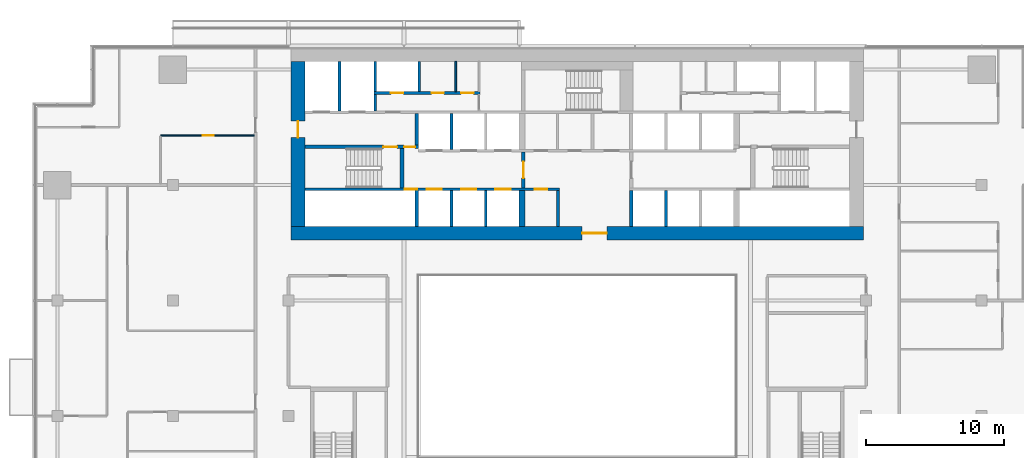
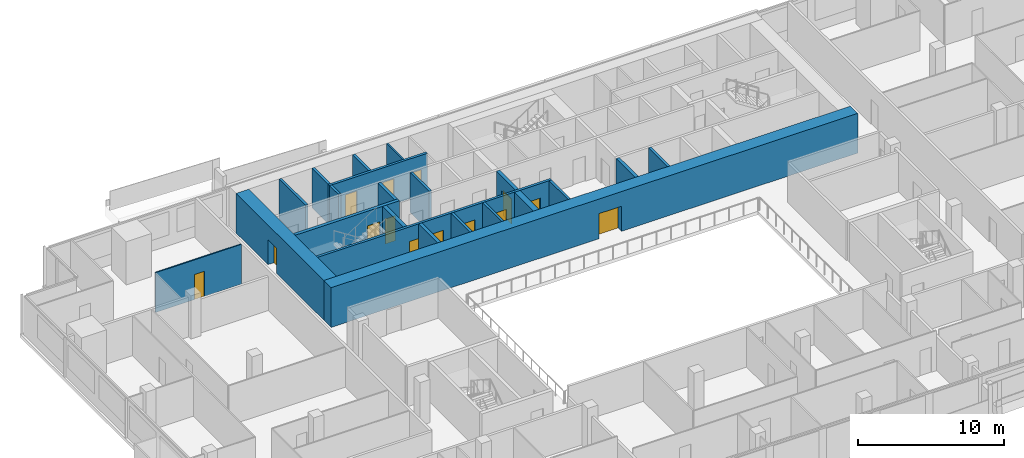
# One storey, part 20 of 27: 22 walls, 14 doors, 14 openings.
"""IFC4 building model written with IfcOpenShell, lengths in metres."""

import ifcopenshell
import ifcopenshell.guid

model = None  # the IFC model being written
_history = None  # IfcOwnerHistory: only IFC2X3 demands one
_inside = {}  # id of a spatial element -> (the spatial element, [elements in it])
_under = {}  # id of a project, library or spatial element -> (it, [spatial elements below it])
_declared = {}  # id of a project -> (the project, [libraries it declares])
_typed = {}  # id of a type object -> (the type object, [elements of that type])
_made_of = {}  # id of a material, layer set ... -> (it, [elements and type objects made of it])


def new_model(schema):
    """Start an empty IFC model of exactly this schema.

    Asked for "IFC4X3", IfcOpenShell would pick the latest addendum, in which some entities
    have other attributes; the version numbers below select the first issue.
    IFC2X3 requires an IfcOwnerHistory on every rooted entity: one is made here for all.
    """
    global model, _history
    if schema == "IFC4X3":
        model = ifcopenshell.file(schema_version=(4, 3, 0, 0))
    else:
        model = ifcopenshell.file(schema=schema)
    _inside.clear()
    _under.clear()
    _declared.clear()
    _typed.clear()
    _made_of.clear()
    _history = None
    if model.schema == "IFC2X3":
        org = make("IfcOrganization", Name="unknown")
        user = make(
            "IfcPersonAndOrganization",
            ThePerson=make("IfcPerson", FamilyName="unknown"),
            TheOrganization=org,
        )
        app = make(
            "IfcApplication",
            ApplicationDeveloper=org,
            Version="unknown",
            ApplicationFullName="unknown",
            ApplicationIdentifier="unknown",
        )
        _history = make(
            "IfcOwnerHistory",
            OwningUser=user,
            OwningApplication=app,
            ChangeAction="ADDED",
            CreationDate=0,
        )
    return model


def make(cls, **values):
    """One entity of the class cls with the attributes given. An attribute that is None is left unset."""
    return model.create_entity(
        cls, **{name: value for name, value in values.items() if value is not None}
    )


def rooted(cls, **values):
    """An entity with a GlobalId (a new one), such as an element, a storey or a relation."""
    return make(cls, GlobalId=ifcopenshell.guid.new(), OwnerHistory=_history, **values)


def si_unit(unit_type, name, prefix=None):
    """IfcSIUnit, for example si_unit("LENGTHUNIT", "METRE", prefix="MILLI")."""
    return make("IfcSIUnit", UnitType=unit_type, Prefix=prefix, Name=name)


def assignment(units):
    """IfcUnitAssignment: the units of a project."""
    return None if units is None else make("IfcUnitAssignment", Units=units)


def point(xyz):
    """IfcCartesianPoint."""
    return None if xyz is None else make("IfcCartesianPoint", Coordinates=xyz)


def direction(xyz):
    """IfcDirection."""
    return None if xyz is None else make("IfcDirection", DirectionRatios=xyz)


def frame(location, z_axis=None, x_axis=None):
    """IfcAxis2Placement3D, a coordinate frame: its origin and axes. An axis left out is left unset."""
    return make(
        "IfcAxis2Placement3D",
        Location=point(location),
        Axis=direction(z_axis),
        RefDirection=direction(x_axis),
    )


def frame_2d(location, x_axis=None):
    """IfcAxis2Placement2D, a coordinate frame in the plane: its origin and x axis."""
    return make(
        "IfcAxis2Placement2D", Location=point(location), RefDirection=direction(x_axis)
    )


def origin():
    """The frame at (0, 0, 0) with its axes left unset."""
    return frame((0.0, 0.0, 0.0))


def place(relative_to, where):
    """IfcLocalPlacement: puts the frame where relative to a parent placement (None: the world)."""
    return make(
        "IfcLocalPlacement", PlacementRelTo=relative_to, RelativePlacement=where
    )


def context(
    kind, dimensions, precision=None, world=None, true_north=None, identifier=None
):
    """IfcGeometricRepresentationContext, for example the 3D "Model" context."""
    return make(
        "IfcGeometricRepresentationContext",
        ContextIdentifier=identifier,
        ContextType=kind,
        CoordinateSpaceDimension=dimensions,
        Precision=precision,
        WorldCoordinateSystem=world,
        TrueNorth=true_north,
    )


def subcontext(parent, identifier, kind, view, scale=None):
    """IfcGeometricRepresentationSubContext, for example "Body" below "Model"."""
    return make(
        "IfcGeometricRepresentationSubContext",
        ContextIdentifier=identifier,
        ContextType=kind,
        ParentContext=parent,
        TargetScale=scale,
        TargetView=view,
    )


def project(units=None, contexts=None):
    """IfcProject with its units and contexts."""
    return rooted(
        "IfcProject",
        Name="project",
        RepresentationContexts=contexts,
        UnitsInContext=assignment(units),
    )


def spatial(cls, under=None, at=None, **own):
    """A site, building, storey or space (cls), placed at a placement, below another one or the project."""
    s = rooted(cls, ObjectPlacement=at, **own)
    if under is not None:
        _under.setdefault(under.id(), (under, []))[1].append(s)
    return s


def profile(cls, at=None, kind="AREA", **sizes):
    """A parametric profile (cls). Its sizes go by their IFC names, for example OverallWidth=200.0."""
    return make(cls, ProfileType=kind, Position=at, **sizes)


def rectangle(**sizes):
    """IfcRectangleProfileDef."""
    return profile("IfcRectangleProfileDef", **sizes)


def extrude(swept, where, along, depth):
    """IfcExtrudedAreaSolid: the profile swept, set in the frame where, extruded along a direction by depth."""
    return make(
        "IfcExtrudedAreaSolid",
        SweptArea=swept,
        Position=where,
        ExtrudedDirection=direction(along),
        Depth=depth,
    )


def shape(context_of_items, identifier, shape_type, items):
    """IfcShapeRepresentation: the items that make up one representation, for example the "Body"."""
    return make(
        "IfcShapeRepresentation",
        ContextOfItems=context_of_items,
        RepresentationIdentifier=identifier,
        RepresentationType=shape_type,
        Items=items,
    )


def material(Name=None, Category=None):
    """IfcMaterial."""
    return make("IfcMaterial", Name=Name, Category=Category)


def layer(
    of_material, thickness, ventilated=None, Name=None, Category=None, Priority=None
):
    """IfcMaterialLayer: one layer of a wall or slab, of a material (None: an air gap)."""
    return make(
        "IfcMaterialLayer",
        Material=of_material,
        LayerThickness=thickness,
        IsVentilated=ventilated,
        Name=Name,
        Category=Category,
        Priority=Priority,
    )


def layer_set(layers, Name=None):
    """IfcMaterialLayerSet."""
    return make("IfcMaterialLayerSet", MaterialLayers=layers, LayerSetName=Name)


def made_of(thing, what):
    """Note that an element or type object is made of a material, layer set ...; save() writes the relation."""
    if what is not None:
        _made_of.setdefault(what.id(), (what, []))[1].append(thing)
    return thing


def type_object(cls, material=None, **own):
    """A type object (cls), such as IfcWallType, which elements share."""
    return made_of(rooted(cls, **own), material)


def element(
    cls,
    number,
    at=None,
    inside=None,
    cuts=None,
    type_object=None,
    material=None,
    context=None,
    identifier="Body",
    shape_type=None,
    held_by="IfcProductDefinitionShape",
    body=None,
    shapes=None,
    **own,
):
    """One element of the class cls, such as IfcWall. Its Tag is "e" and its number.

    at: its placement. inside: the storey or other place that contains it. cuts: it is an
    opening in that element (IfcRelVoidsElement). A single representation is given by context,
    identifier, shape_type and body (its items); several are given by shapes. held_by: the class
    of the entity that holds the representations. save() writes the other relations.
    """
    e = rooted(cls, Tag="e%d" % number, ObjectPlacement=at, **own)
    if body is not None:
        shapes = [shape(context, identifier, shape_type, body)]
    if shapes is not None:
        e.Representation = make(held_by, Representations=shapes)
    if inside is not None:
        _inside.setdefault(inside.id(), (inside, []))[1].append(e)
    if cuts is not None:
        rooted(
            "IfcRelVoidsElement", RelatingBuildingElement=cuts, RelatedOpeningElement=e
        )
    if type_object is not None:
        _typed.setdefault(type_object.id(), (type_object, []))[1].append(e)
    return made_of(e, material)


def fill(opening, filler):
    """IfcRelFillsElement: the door or window that sits in an opening."""
    return rooted(
        "IfcRelFillsElement",
        RelatingOpeningElement=opening,
        RelatedBuildingElement=filler,
    )


def aggregate(whole, parts):
    """IfcRelAggregates: a whole, such as a stair, and the parts it consists of."""
    return rooted("IfcRelAggregates", RelatingObject=whole, RelatedObjects=parts)


def save(model, path):
    """Write the relations noted so far, then the file.

    IfcRelAggregates (storeys below a building ...), IfcRelContainedInSpatialStructure (elements
    in a storey), IfcRelDefinesByType, IfcRelAssociatesMaterial and IfcRelDeclares: one each for
    every whole, place, type object, material and project.
    """
    for whole, parts in _under.values():
        aggregate(whole, parts)
    for where, things in _inside.values():
        rooted(
            "IfcRelContainedInSpatialStructure",
            RelatedElements=things,
            RelatingStructure=where,
        )
    for kind, things in _typed.values():
        rooted("IfcRelDefinesByType", RelatedObjects=things, RelatingType=kind)
    for what, things in _made_of.values():
        rooted("IfcRelAssociatesMaterial", RelatedObjects=things, RelatingMaterial=what)
    for by, libraries in _declared.values():
        rooted("IfcRelDeclares", RelatingContext=by, RelatedDefinitions=libraries)
    model.write(path)


model = new_model("IFC4")

# Units and contexts
model_context = context("Model", 3, precision=1e-05, world=origin(), true_north=direction((0.0, 1.0)))
body_context = subcontext(model_context, "Body", "Model", "MODEL_VIEW")
ifc_project = project(units=[si_unit("LENGTHUNIT", "METRE"), si_unit("AREAUNIT", "SQUARE_METRE"), si_unit("VOLUMEUNIT", "CUBIC_METRE"), si_unit("PLANEANGLEUNIT", "RADIAN"), si_unit("MASSUNIT", "GRAM", prefix="KILO")], contexts=[model_context])

# Site, building, storey
site_placement = place(None, origin())
site = spatial("IfcSite", under=ifc_project, at=site_placement, CompositionType="ELEMENT")
building_placement = place(site_placement, origin())
building = spatial("IfcBuilding", under=site, at=building_placement, Name="Saffron Gate Tower", CompositionType="ELEMENT")
storey_placement = place(building_placement, frame((0.0, 0.0, 124.050048828125)))
storey = spatial("IfcBuildingStorey", under=building, at=storey_placement, Name="L29", CompositionType="ELEMENT", Elevation=124.050048828125)

# Wall
ifc_material_1 = material(Name="Gypsum board partition on steel studs", Category="steel")
ifc_layer_1 = layer(ifc_material_1, 0.199951171875)
ifc_layer_set_1 = layer_set([ifc_layer_1], Name="CW10 Core partition 200")
wall_type_1 = type_object("IfcWallType", Name="CW10 Core partition 200", PredefinedType="PARTITIONING", material=ifc_layer_set_1)
wall_1_placement = place(storey_placement, frame((86.199951171875, 62.39990234375, 0.0), z_axis=(0.0, 0.0, 1.0), x_axis=(0.0, 1.0, 0.0)))
element("IfcWall", 1, at=wall_1_placement, inside=storey, type_object=wall_type_1, Name="Wall CW10-L29-9", PredefinedType="PARTITIONING", context=body_context, shape_type="SweptSolid", body=[
    extrude(rectangle(XDim=2.60009765625, YDim=0.199951171875, at=frame_2d((1.300048828125, 0.0))), origin(), (0.0, 0.0, 1.0), 3.320068359375),
])

# Wall, opening, door
ifc_material_2 = material(Name="Concrete C70", Category="concrete")
ifc_layer_2 = layer(ifc_material_2, 1.0)
ifc_layer_set_2 = layer_set([ifc_layer_2], Name="CW12 RC core wall 1000 C70")
wall_type_2 = type_object("IfcWallType", Name="CW12 RC core wall 1000 C70", PredefinedType="SOLIDWALL", material=ifc_layer_set_2)
wall_2_placement = place(storey_placement, frame((66.800048828125, 61.89990234375, 0.0), z_axis=(0.0, 0.0, 1.0), x_axis=(1.0, 0.0, 0.0)))
wall_2 = element("IfcWall", 2, at=wall_2_placement, inside=storey, type_object=wall_type_2, Name="Wall CW12-L29-1", PredefinedType="SOLIDWALL", context=body_context, shape_type="SweptSolid", body=[
    extrude(rectangle(XDim=41.599853515625, YDim=1.0, at=frame_2d((20.7998046875, 0.0))), origin(), (0.0, 0.0, 1.0), 3.320068359375),
])
opening_1_placement = place(wall_2_placement, frame((21.14990234375, 0.0, 0.0)))
opening_1 = element("IfcOpeningElement", 3, at=opening_1_placement, cuts=wall_2, Name="Opening CR-09", PredefinedType="OPENING", context=body_context, shape_type="SweptSolid", body=[
    extrude(rectangle(XDim=1.800048828125, YDim=2.10009765625, at=frame_2d((0.89990234375, 1.050048828125))), frame((0.0, 0.510009765625, 0.0), z_axis=(0.0, -1.0, 0.0), x_axis=(1.0, 0.0, 0.0)), (0.0, 0.0, 1.0), 1.02001953125),
])
ifc_material_3 = material(Name="Steel fire door set", Category="steel")
door_type_1 = type_object("IfcDoorType", Name="CD1 Core entrance door 1800x2100 EI 120", OperationType="NOTDEFINED", PredefinedType="DOOR", material=ifc_material_3)
door_1_placement = place(opening_1_placement, origin())
door_1 = element("IfcDoor", 4, at=door_1_placement, inside=storey, type_object=door_type_1, Name="DOOR CR-09", OperationType="DOUBLE_DOOR_SINGLE_SWING", OverallHeight=2.10009765625, OverallWidth=1.800048828125, PredefinedType="DOOR", context=body_context, shape_type="SweptSolid", body=[
    extrude(rectangle(XDim=1.800048828125, YDim=2.10009765625, at=frame_2d((0.89990234375, 1.050048828125))), frame((0.0, 0.02490234375, 0.0), z_axis=(0.0, -1.0, 0.0), x_axis=(1.0, 0.0, 0.0)), (0.0, 0.0, 1.0), 0.050048828125),
])
fill(opening_1, door_1)

wall_3_placement = place(storey_placement, frame((67.300048828125, 62.39990234375, 0.0), z_axis=(0.0, 0.0, 1.0), x_axis=(0.0, 1.0, 0.0)))
wall_3 = element("IfcWall", 5, at=wall_3_placement, inside=storey, type_object=wall_type_2, Name="Wall CW12-L29-3", PredefinedType="SOLIDWALL", context=body_context, shape_type="SweptSolid", body=[
    extrude(rectangle(XDim=12.0, YDim=1.0, at=frame_2d((6.0, 0.0))), origin(), (0.0, 0.0, 1.0), 3.320068359375),
])
opening_2_placement = place(wall_3_placement, frame((6.449951171875, 0.0, 0.0)))
opening_2 = element("IfcOpeningElement", 6, at=opening_2_placement, cuts=wall_3, Name="Opening CR-10", PredefinedType="OPENING", context=body_context, shape_type="SweptSolid", body=[
    extrude(rectangle(XDim=1.199951171875, YDim=2.10009765625, at=frame_2d((0.60009765625, 1.050048828125))), frame((0.0, 0.510009765625, 0.0), z_axis=(0.0, -1.0, 0.0), x_axis=(1.0, 0.0, 0.0)), (0.0, 0.0, 1.0), 1.02001953125),
])
door_type_2 = type_object("IfcDoorType", Name="CD7 Core entrance door 1200x2100 EI 120", OperationType="NOTDEFINED", PredefinedType="DOOR", material=ifc_material_3)
door_2_placement = place(opening_2_placement, origin())
door_2 = element("IfcDoor", 7, at=door_2_placement, inside=storey, type_object=door_type_2, Name="DOOR CR-10", OperationType="SINGLE_SWING_LEFT", OverallHeight=2.10009765625, OverallWidth=1.199951171875, PredefinedType="DOOR", context=body_context, shape_type="SweptSolid", body=[
    extrude(rectangle(XDim=1.199951171875, YDim=2.10009765625, at=frame_2d((0.60009765625, 1.050048828125))), frame((0.0, 0.02490234375, 0.0), z_axis=(0.0, -1.0, 0.0), x_axis=(1.0, 0.0, 0.0)), (0.0, 0.0, 1.0), 0.050048828125),
])
fill(opening_2, door_2)

# Walls
ifc_layer_3 = layer(ifc_material_2, 0.25)
ifc_layer_set_3 = layer_set([ifc_layer_3], Name="CW2 RC core wall 250 C70")
wall_type_3 = type_object("IfcWallType", Name="CW2 RC core wall 250 C70", PredefinedType="SOLIDWALL", material=ifc_layer_set_3)
for number, where, z_axis, x_axis, name in (
    (8, (75.925048828125, 62.39990234375, 0.0), (0.0, 0.0, 1.0), (0.0, 1.0, 0.0), "Wall CW2-L29-5"),
    (9, (91.52490234375, 62.39990234375, 0.0), (0.0, 0.0, 1.0), (0.0, 1.0, 0.0), "Wall CW2-L29-10"),
):
    element("IfcWall", number, at=place(storey_placement, frame(where, z_axis=z_axis, x_axis=x_axis)), inside=storey, type_object=wall_type_3, Name=name, PredefinedType="SOLIDWALL", context=body_context, shape_type="SweptSolid", body=[
        extrude(rectangle(XDim=2.60009765625, YDim=0.25, at=frame_2d((1.300048828125, 0.0))), origin(), (0.0, 0.0, 1.0), 3.320068359375),
    ])

# Wall, opening, door
wall_4_placement = place(storey_placement, frame((83.675048828125, 65.199951171875, 0.0), z_axis=(0.0, 0.0, 1.0), x_axis=(0.0, 1.0, 0.0)))
wall_4 = element("IfcWall", 10, at=wall_4_placement, inside=storey, type_object=wall_type_3, Name="Wall CW2-L29-17", PredefinedType="SOLIDWALL", context=body_context, shape_type="SweptSolid", body=[
    extrude(rectangle(XDim=2.60009765625, YDim=0.25, at=frame_2d((1.300048828125, 0.0))), origin(), (0.0, 0.0, 1.0), 3.320068359375),
])
opening_3_placement = place(wall_4_placement, frame((0.699951171875, 0.0, 0.0)))
opening_3 = element("IfcOpeningElement", 11, at=opening_3_placement, cuts=wall_4, Name="Opening CR-07", PredefinedType="OPENING", context=body_context, shape_type="SweptSolid", body=[
    extrude(rectangle(XDim=1.199951171875, YDim=2.10009765625, at=frame_2d((0.60009765625, 1.050048828125))), frame((0.0, 0.135009765625, 0.0), z_axis=(0.0, -1.0, 0.0), x_axis=(1.0, 0.0, 0.0)), (0.0, 0.0, 1.0), 0.27001953125),
])
door_type_3 = type_object("IfcDoorType", Name="CD3 Lobby door 1200x2100 EI 120", OperationType="NOTDEFINED", PredefinedType="DOOR", material=ifc_material_3)
door_3_placement = place(opening_3_placement, origin())
door_3 = element("IfcDoor", 12, at=door_3_placement, inside=storey, type_object=door_type_3, Name="DOOR CR-07", OperationType="SINGLE_SWING_RIGHT", OverallHeight=2.10009765625, OverallWidth=1.199951171875, PredefinedType="DOOR", context=body_context, shape_type="SweptSolid", body=[
    extrude(rectangle(XDim=1.199951171875, YDim=2.10009765625, at=frame_2d((0.60009765625, 1.050048828125))), frame((0.0, 0.02490234375, 0.0), z_axis=(0.0, -1.0, 0.0), x_axis=(1.0, 0.0, 0.0)), (0.0, 0.0, 1.0), 0.050048828125),
])
fill(opening_3, door_3)

# Wall, openings, doors
wall_5_placement = place(storey_placement, frame((67.800048828125, 68.175048828125, 0.0), z_axis=(0.0, 0.0, 1.0), x_axis=(1.0, 0.0, 0.0)))
wall_5 = element("IfcWall", 13, at=wall_5_placement, inside=storey, type_object=wall_type_3, Name="Wall CW2-L29-30", PredefinedType="SOLIDWALL", context=body_context, shape_type="SweptSolid", body=[
    extrude(rectangle(XDim=8.25, YDim=0.25, at=frame_2d((4.125, 0.0))), origin(), (0.0, 0.0, 1.0), 3.320068359375),
])
opening_4_placement = place(wall_5_placement, frame((5.699951171875, 0.0, 0.0)))
opening_4 = element("IfcOpeningElement", 14, at=opening_4_placement, cuts=wall_5, Name="Opening CR-15", PredefinedType="OPENING", context=body_context, shape_type="SweptSolid", body=[
    extrude(rectangle(XDim=1.0, YDim=2.10009765625, at=frame_2d((0.5, 1.050048828125))), frame((0.0, 0.135009765625, 0.0), z_axis=(0.0, -1.0, 0.0), x_axis=(1.0, 0.0, 0.0)), (0.0, 0.0, 1.0), 0.27001953125),
])
opening_5_placement = place(wall_5_placement, frame((7.199951171875, 0.0, 0.0)))
opening_5 = element("IfcOpeningElement", 15, at=opening_5_placement, cuts=wall_5, Name="Opening CR-06", PredefinedType="OPENING", context=body_context, shape_type="SweptSolid", body=[
    extrude(rectangle(XDim=0.800048828125, YDim=2.10009765625, at=frame_2d((0.39990234375, 1.050048828125))), frame((0.0, 0.135009765625, 0.0), z_axis=(0.0, -1.0, 0.0), x_axis=(1.0, 0.0, 0.0)), (0.0, 0.0, 1.0), 0.27001953125),
])
door_type_4 = type_object("IfcDoorType", Name="CD5 Stair door 1000x2100 EI 120", OperationType="NOTDEFINED", PredefinedType="DOOR", material=ifc_material_3)
door_4_placement = place(opening_4_placement, origin())
door_4 = element("IfcDoor", 16, at=door_4_placement, inside=storey, type_object=door_type_4, Name="DOOR CR-15", OperationType="SINGLE_SWING_RIGHT", OverallHeight=2.10009765625, OverallWidth=1.0, PredefinedType="DOOR", context=body_context, shape_type="SweptSolid", body=[
    extrude(rectangle(XDim=1.0, YDim=2.10009765625, at=frame_2d((0.5, 1.050048828125))), frame((0.0, 0.02490234375, 0.0), z_axis=(0.0, -1.0, 0.0), x_axis=(1.0, 0.0, 0.0)), (0.0, 0.0, 1.0), 0.050048828125),
])
fill(opening_4, door_4)
door_type_5 = type_object("IfcDoorType", Name="CD6 Lobby door 800x2100 EI 120", OperationType="NOTDEFINED", PredefinedType="DOOR", material=ifc_material_3)
door_5_placement = place(opening_5_placement, origin())
door_5 = element("IfcDoor", 17, at=door_5_placement, inside=storey, type_object=door_type_5, Name="DOOR CR-06", OperationType="SINGLE_SWING_LEFT", OverallHeight=2.10009765625, OverallWidth=0.800048828125, PredefinedType="DOOR", context=body_context, shape_type="SweptSolid", body=[
    extrude(rectangle(XDim=0.800048828125, YDim=2.10009765625, at=frame_2d((0.39990234375, 1.050048828125))), frame((0.0, 0.02490234375, 0.0), z_axis=(0.0, -1.0, 0.0), x_axis=(1.0, 0.0, 0.0)), (0.0, 0.0, 1.0), 0.050048828125),
])
fill(opening_5, door_5)

# Walls
wall_6_placement = place(storey_placement, frame((75.925048828125, 68.300048828125, 0.0), z_axis=(0.0, 0.0, 1.0), x_axis=(0.0, 1.0, 0.0)))
element("IfcWall", 18, at=wall_6_placement, inside=storey, type_object=wall_type_3, Name="Wall CW2-L29-32", PredefinedType="SOLIDWALL", context=body_context, shape_type="SweptSolid", body=[
    extrude(rectangle(XDim=2.300048828125, YDim=0.25, at=frame_2d((1.14990234375, 0.0))), origin(), (0.0, 0.0, 1.0), 3.320068359375),
])
ifc_layer_4 = layer(ifc_material_2, 0.199951171875)
ifc_layer_set_4 = layer_set([ifc_layer_4], Name="CW3 RC core wall 200 C70")
wall_type_4 = type_object("IfcWallType", Name="CW3 RC core wall 200 C70", PredefinedType="SOLIDWALL", material=ifc_layer_set_4)
for number, where, z_axis, x_axis, name in (
    (19, (78.449951171875, 62.39990234375, 0.0), (0.0, 0.0, 1.0), (0.0, 1.0, 0.0), "Wall CW3-L29-6"),
    (20, (80.949951171875, 62.39990234375, 0.0), (0.0, 0.0, 1.0), (0.0, 1.0, 0.0), "Wall CW3-L29-7"),
    (21, (94.050048828125, 62.39990234375, 0.0), (0.0, 0.0, 1.0), (0.0, 1.0, 0.0), "Wall CW3-L29-11"),
):
    element("IfcWall", number, at=place(storey_placement, frame(where, z_axis=z_axis, x_axis=x_axis)), inside=storey, type_object=wall_type_4, Name=name, PredefinedType="SOLIDWALL", context=body_context, shape_type="SweptSolid", body=[
        extrude(rectangle(XDim=2.60009765625, YDim=0.199951171875, at=frame_2d((1.300048828125, 0.0))), origin(), (0.0, 0.0, 1.0), 3.320068359375),
    ])

# Wall, openings, doors
wall_7_placement = place(storey_placement, frame((67.800048828125, 65.10009765625, 0.0), z_axis=(0.0, 0.0, 1.0), x_axis=(1.0, 0.0, 0.0)))
wall_7 = element("IfcWall", 22, at=wall_7_placement, inside=storey, type_object=wall_type_4, Name="Wall CW3-L29-14", PredefinedType="SOLIDWALL", context=body_context, shape_type="SweptSolid", body=[
    extrude(rectangle(XDim=18.5, YDim=0.199951171875, at=frame_2d((9.25, 0.0))), origin(), (0.0, 0.0, 1.0), 3.320068359375),
])
opening_6_placement = place(wall_7_placement, frame((7.27001953125, 0.0, 0.0)))
opening_6 = element("IfcOpeningElement", 23, at=opening_6_placement, cuts=wall_7, Name="Opening CR-49", PredefinedType="OPENING", context=body_context, shape_type="SweptSolid", body=[
    extrude(rectangle(XDim=0.89990234375, YDim=2.10009765625, at=frame_2d((0.449951171875, 1.050048828125))), frame((0.0, 0.10986328125, 0.0), z_axis=(0.0, -1.0, 0.0), x_axis=(1.0, 0.0, 0.0)), (0.0, 0.0, 1.0), 0.219970703125),
])
opening_7_placement = place(wall_7_placement, frame((8.85009765625, 0.0, 0.0)))
opening_7 = element("IfcOpeningElement", 24, at=opening_7_placement, cuts=wall_7, Name="Opening LD-LR1", PredefinedType="OPENING", context=body_context, shape_type="SweptSolid", body=[
    extrude(rectangle(XDim=1.10009765625, YDim=2.10009765625, at=frame_2d((0.550048828125, 1.050048828125))), frame((0.0, 0.10986328125, 0.0), z_axis=(0.0, -1.0, 0.0), x_axis=(1.0, 0.0, 0.0)), (0.0, 0.0, 1.0), 0.219970703125),
])
opening_8_placement = place(wall_7_placement, frame((11.35009765625, 0.0, 0.0)))
opening_8 = element("IfcOpeningElement", 25, at=opening_8_placement, cuts=wall_7, Name="Opening LD-LR2", PredefinedType="OPENING", context=body_context, shape_type="SweptSolid", body=[
    extrude(rectangle(XDim=1.10009765625, YDim=2.10009765625, at=frame_2d((0.550048828125, 1.050048828125))), frame((0.0, 0.10986328125, 0.0), z_axis=(0.0, -1.0, 0.0), x_axis=(1.0, 0.0, 0.0)), (0.0, 0.0, 1.0), 0.219970703125),
])
opening_9_placement = place(wall_7_placement, frame((13.85009765625, 0.0, 0.0)))
opening_9 = element("IfcOpeningElement", 26, at=opening_9_placement, cuts=wall_7, Name="Opening LD-LR3", PredefinedType="OPENING", context=body_context, shape_type="SweptSolid", body=[
    extrude(rectangle(XDim=1.10009765625, YDim=2.10009765625, at=frame_2d((0.550048828125, 1.050048828125))), frame((0.0, 0.10986328125, 0.0), z_axis=(0.0, -1.0, 0.0), x_axis=(1.0, 0.0, 0.0)), (0.0, 0.0, 1.0), 0.219970703125),
])
opening_10_placement = place(wall_7_placement, frame((16.699951171875, 0.0, 0.0)))
opening_10 = element("IfcOpeningElement", 27, at=opening_10_placement, cuts=wall_7, Name="Opening CR-69", PredefinedType="OPENING", context=body_context, shape_type="SweptSolid", body=[
    extrude(rectangle(XDim=0.89990234375, YDim=2.10009765625, at=frame_2d((0.449951171875, 1.050048828125))), frame((0.0, 0.10986328125, 0.0), z_axis=(0.0, -1.0, 0.0), x_axis=(1.0, 0.0, 0.0)), (0.0, 0.0, 1.0), 0.219970703125),
])
door_type_6 = type_object("IfcDoorType", Name="CD2 Riser door 900x2100 EI 60", OperationType="NOTDEFINED", PredefinedType="DOOR", material=ifc_material_3)
door_6_placement = place(opening_6_placement, origin())
door_6 = element("IfcDoor", 28, at=door_6_placement, inside=storey, type_object=door_type_6, Name="DOOR CR-49", OperationType="SINGLE_SWING_LEFT", OverallHeight=2.10009765625, OverallWidth=0.89990234375, PredefinedType="DOOR", context=body_context, shape_type="SweptSolid", body=[
    extrude(rectangle(XDim=0.89990234375, YDim=2.10009765625, at=frame_2d((0.449951171875, 1.050048828125))), frame((0.0, 0.02490234375, 0.0), z_axis=(0.0, -1.0, 0.0), x_axis=(1.0, 0.0, 0.0)), (0.0, 0.0, 1.0), 0.050048828125),
])
fill(opening_6, door_6)
door_type_7 = type_object("IfcDoorType", Name="CD9 Room door 900x2100 EI 60", OperationType="NOTDEFINED", PredefinedType="DOOR", material=ifc_material_3)
door_7_placement = place(opening_10_placement, origin())
door_7 = element("IfcDoor", 29, at=door_7_placement, inside=storey, type_object=door_type_7, Name="DOOR CR-69", OperationType="SINGLE_SWING_RIGHT", OverallHeight=2.10009765625, OverallWidth=0.89990234375, PredefinedType="DOOR", context=body_context, shape_type="SweptSolid", body=[
    extrude(rectangle(XDim=0.89990234375, YDim=2.10009765625, at=frame_2d((0.449951171875, 1.050048828125))), frame((0.0, 0.02490234375, 0.0), z_axis=(0.0, -1.0, 0.0), x_axis=(1.0, 0.0, 0.0)), (0.0, 0.0, 1.0), 0.050048828125),
])
fill(opening_10, door_7)
ifc_material_4 = material(Name="Stainless steel landing door", Category="steel")
door_type_8 = type_object("IfcDoorType", Name="LD Lift landing door 1100x2100 EI 120", OperationType="SLIDING_TO_LEFT", PredefinedType="DOOR", material=ifc_material_4)
door_8_placement = place(opening_7_placement, origin())
door_8 = element("IfcDoor", 30, at=door_8_placement, inside=storey, type_object=door_type_8, Name="LANDING DOOR LD-LR1", OperationType="SLIDING_TO_LEFT", OverallHeight=2.10009765625, OverallWidth=1.10009765625, PredefinedType="DOOR", context=body_context, shape_type="SweptSolid", body=[
    extrude(rectangle(XDim=1.10009765625, YDim=2.10009765625, at=frame_2d((0.550048828125, 1.050048828125))), frame((0.0, 0.02490234375, 0.0), z_axis=(0.0, -1.0, 0.0), x_axis=(1.0, 0.0, 0.0)), (0.0, 0.0, 1.0), 0.050048828125),
])
fill(opening_7, door_8)
door_9_placement = place(opening_8_placement, origin())
door_9 = element("IfcDoor", 31, at=door_9_placement, inside=storey, type_object=door_type_8, Name="LANDING DOOR LD-LR2", OperationType="SLIDING_TO_LEFT", OverallHeight=2.10009765625, OverallWidth=1.10009765625, PredefinedType="DOOR", context=body_context, shape_type="SweptSolid", body=[
    extrude(rectangle(XDim=1.10009765625, YDim=2.10009765625, at=frame_2d((0.550048828125, 1.050048828125))), frame((0.0, 0.02490234375, 0.0), z_axis=(0.0, -1.0, 0.0), x_axis=(1.0, 0.0, 0.0)), (0.0, 0.0, 1.0), 0.050048828125),
])
fill(opening_8, door_9)
door_10_placement = place(opening_9_placement, origin())
door_10 = element("IfcDoor", 32, at=door_10_placement, inside=storey, type_object=door_type_8, Name="LANDING DOOR LD-LR3", OperationType="SLIDING_TO_LEFT", OverallHeight=2.10009765625, OverallWidth=1.10009765625, PredefinedType="DOOR", context=body_context, shape_type="SweptSolid", body=[
    extrude(rectangle(XDim=1.10009765625, YDim=2.10009765625, at=frame_2d((0.550048828125, 1.050048828125))), frame((0.0, 0.02490234375, 0.0), z_axis=(0.0, -1.0, 0.0), x_axis=(1.0, 0.0, 0.0)), (0.0, 0.0, 1.0), 0.050048828125),
])
fill(opening_9, door_10)

# Walls
wall_8_placement = place(storey_placement, frame((78.449951171875, 68.0, 0.0), z_axis=(0.0, 0.0, 1.0), x_axis=(0.0, 1.0, 0.0)))
element("IfcWall", 33, at=wall_8_placement, inside=storey, type_object=wall_type_4, Name="Wall CW3-L29-21", PredefinedType="SOLIDWALL", context=body_context, shape_type="SweptSolid", body=[
    extrude(rectangle(XDim=2.60009765625, YDim=0.199951171875, at=frame_2d((1.300048828125, 0.0))), origin(), (0.0, 0.0, 1.0), 3.320068359375),
])
wall_9_placement = place(storey_placement, frame((70.300048828125, 70.800048828125, 0.0), z_axis=(0.0, 0.0, 1.0), x_axis=(0.0, 1.0, 0.0)))
element("IfcWall", 34, at=wall_9_placement, inside=storey, type_object=wall_type_4, Name="Wall CW3-L29-35", PredefinedType="SOLIDWALL", context=body_context, shape_type="SweptSolid", body=[
    extrude(rectangle(XDim=3.599853515625, YDim=0.199951171875, at=frame_2d((1.7998046875, 0.0))), origin(), (0.0, 0.0, 1.0), 3.320068359375),
])
wall_10_placement = place(storey_placement, frame((72.89990234375, 70.800048828125, 0.0), z_axis=(0.0, 0.0, 1.0), x_axis=(0.0, 1.0, 0.0)))
element("IfcWall", 35, at=wall_10_placement, inside=storey, type_object=wall_type_4, Name="Wall CW3-L29-36", PredefinedType="SOLIDWALL", context=body_context, shape_type="SweptSolid", body=[
    extrude(rectangle(XDim=1.199951171875, YDim=0.199951171875, at=frame_2d((0.60009765625, 0.0))), origin(), (0.0, 0.0, 1.0), 3.320068359375),
])

# Wall, openings, doors
wall_11_placement = place(storey_placement, frame((72.800048828125, 72.10009765625, 0.0), z_axis=(0.0, 0.0, 1.0), x_axis=(1.0, 0.0, 0.0)))
wall_11 = element("IfcWall", 36, at=wall_11_placement, inside=storey, type_object=wall_type_4, Name="Wall CW3-L29-43", PredefinedType="SOLIDWALL", context=body_context, shape_type="SweptSolid", body=[
    extrude(rectangle(XDim=7.719970703125, YDim=0.199951171875, at=frame_2d((3.85986328125, 0.0))), origin(), (0.0, 0.0, 1.0), 3.320068359375),
])
opening_11_placement = place(wall_11_placement, frame((1.25, 0.0, 0.0)))
opening_11 = element("IfcOpeningElement", 37, at=opening_11_placement, cuts=wall_11, Name="Opening CR-71", PredefinedType="OPENING", context=body_context, shape_type="SweptSolid", body=[
    extrude(rectangle(XDim=0.89990234375, YDim=2.10009765625, at=frame_2d((0.449951171875, 1.050048828125))), frame((0.0, 0.10986328125, 0.0), z_axis=(0.0, -1.0, 0.0), x_axis=(1.0, 0.0, 0.0)), (0.0, 0.0, 1.0), 0.219970703125),
])
opening_12_placement = place(wall_11_placement, frame((4.199951171875, 0.0, 0.0)))
opening_12 = element("IfcOpeningElement", 38, at=opening_12_placement, cuts=wall_11, Name="Opening CR-55", PredefinedType="OPENING", context=body_context, shape_type="SweptSolid", body=[
    extrude(rectangle(XDim=0.89990234375, YDim=2.10009765625, at=frame_2d((0.449951171875, 1.050048828125))), frame((0.0, 0.10986328125, 0.0), z_axis=(0.0, -1.0, 0.0), x_axis=(1.0, 0.0, 0.0)), (0.0, 0.0, 1.0), 0.219970703125),
])
opening_13_placement = place(wall_11_placement, frame((6.360107421875, 0.0, 0.0)))
opening_13 = element("IfcOpeningElement", 39, at=opening_13_placement, cuts=wall_11, Name="Opening CR-58", PredefinedType="OPENING", context=body_context, shape_type="SweptSolid", body=[
    extrude(rectangle(XDim=0.89990234375, YDim=2.10009765625, at=frame_2d((0.449951171875, 1.050048828125))), frame((0.0, 0.10986328125, 0.0), z_axis=(0.0, -1.0, 0.0), x_axis=(1.0, 0.0, 0.0)), (0.0, 0.0, 1.0), 0.219970703125),
])
door_11_placement = place(opening_11_placement, origin())
door_11 = element("IfcDoor", 40, at=door_11_placement, inside=storey, type_object=door_type_6, Name="DOOR CR-71", OperationType="SINGLE_SWING_LEFT", OverallHeight=2.10009765625, OverallWidth=0.89990234375, PredefinedType="DOOR", context=body_context, shape_type="SweptSolid", body=[
    extrude(rectangle(XDim=0.89990234375, YDim=2.10009765625, at=frame_2d((0.449951171875, 1.050048828125))), frame((0.0, 0.02490234375, 0.0), z_axis=(0.0, -1.0, 0.0), x_axis=(1.0, 0.0, 0.0)), (0.0, 0.0, 1.0), 0.050048828125),
])
fill(opening_11, door_11)
door_12_placement = place(opening_12_placement, origin())
door_12 = element("IfcDoor", 41, at=door_12_placement, inside=storey, type_object=door_type_7, Name="DOOR CR-55", OperationType="SINGLE_SWING_LEFT", OverallHeight=2.10009765625, OverallWidth=0.89990234375, PredefinedType="DOOR", context=body_context, shape_type="SweptSolid", body=[
    extrude(rectangle(XDim=0.89990234375, YDim=2.10009765625, at=frame_2d((0.449951171875, 1.050048828125))), frame((0.0, 0.02490234375, 0.0), z_axis=(0.0, -1.0, 0.0), x_axis=(1.0, 0.0, 0.0)), (0.0, 0.0, 1.0), 0.050048828125),
])
fill(opening_12, door_12)
door_13_placement = place(opening_13_placement, origin())
door_13 = element("IfcDoor", 42, at=door_13_placement, inside=storey, type_object=door_type_7, Name="DOOR CR-58", OperationType="SINGLE_SWING_LEFT", OverallHeight=2.10009765625, OverallWidth=0.89990234375, PredefinedType="DOOR", context=body_context, shape_type="SweptSolid", body=[
    extrude(rectangle(XDim=0.89990234375, YDim=2.10009765625, at=frame_2d((0.449951171875, 1.050048828125))), frame((0.0, 0.02490234375, 0.0), z_axis=(0.0, -1.0, 0.0), x_axis=(1.0, 0.0, 0.0)), (0.0, 0.0, 1.0), 0.050048828125),
])
fill(opening_13, door_13)

# Walls
for number, where, z_axis, x_axis, name in (
    (43, (72.89990234375, 72.199951171875, 0.0), (0.0, 0.0, 1.0), (0.0, 1.0, 0.0), "Wall CW3-L29-45"),
    (44, (76.10009765625, 72.199951171875, 0.0), (0.0, 0.0, 1.0), (0.0, 1.0, 0.0), "Wall CW3-L29-46"),
):
    element("IfcWall", number, at=place(storey_placement, frame(where, z_axis=z_axis, x_axis=x_axis)), inside=storey, type_object=wall_type_4, Name=name, PredefinedType="SOLIDWALL", context=body_context, shape_type="SweptSolid", body=[
        extrude(rectangle(XDim=2.199951171875, YDim=0.199951171875, at=frame_2d((1.10009765625, 0.0))), origin(), (0.0, 0.0, 1.0), 3.320068359375),
    ])
ifc_layer_5 = layer(ifc_material_2, 0.449951171875)
ifc_layer_set_5 = layer_set([ifc_layer_5], Name="CW4 RC core wall 450 C70")
wall_type_5 = type_object("IfcWallType", Name="CW4 RC core wall 450 C70", PredefinedType="SOLIDWALL", material=ifc_layer_set_5)
wall_12_placement = place(storey_placement, frame((83.574951171875, 62.39990234375, 0.0), z_axis=(0.0, 0.0, 1.0), x_axis=(0.0, 1.0, 0.0)))
element("IfcWall", 45, at=wall_12_placement, inside=storey, type_object=wall_type_5, Name="Wall CW4-L29-8", PredefinedType="SOLIDWALL", context=body_context, shape_type="SweptSolid", body=[
    extrude(rectangle(XDim=2.60009765625, YDim=0.449951171875, at=frame_2d((1.300048828125, 0.0))), origin(), (0.0, 0.0, 1.0), 3.320068359375),
])
ifc_layer_6 = layer(ifc_material_2, 0.300048828125)
ifc_layer_set_6 = layer_set([ifc_layer_6], Name="CW5 RC core wall 300 C70")
wall_type_6 = type_object("IfcWallType", Name="CW5 RC core wall 300 C70", PredefinedType="SOLIDWALL", material=ifc_layer_set_6)
wall_13_placement = place(storey_placement, frame((74.85009765625, 65.199951171875, 0.0), z_axis=(0.0, 0.0, 1.0), x_axis=(0.0, 1.0, 0.0)))
element("IfcWall", 46, at=wall_13_placement, inside=storey, type_object=wall_type_6, Name="Wall CW5-L29-16", PredefinedType="SOLIDWALL", context=body_context, shape_type="SweptSolid", body=[
    extrude(rectangle(XDim=2.85009765625, YDim=0.300048828125, at=frame_2d((1.425048828125, 0.0))), origin(), (0.0, 0.0, 1.0), 3.320068359375),
])
ifc_layer_7 = layer(ifc_material_1, 0.1201171875)
ifc_layer_set_7 = layer_set([ifc_layer_7], Name="CW8 Core partition 120")
wall_type_7 = type_object("IfcWallType", Name="CW8 Core partition 120", PredefinedType="PARTITIONING", material=ifc_layer_set_7)
wall_14_placement = place(storey_placement, frame((78.760009765625, 72.199951171875, 0.0), z_axis=(0.0, 0.0, 1.0), x_axis=(0.0, 1.0, 0.0)))
element("IfcWall", 47, at=wall_14_placement, inside=storey, type_object=wall_type_7, Name="Wall CW8-L29-47", PredefinedType="PARTITIONING", context=body_context, shape_type="SweptSolid", body=[
    extrude(rectangle(XDim=2.199951171875, YDim=0.1201171875, at=frame_2d((1.10009765625, 0.0))), origin(), (0.0, 0.0, 1.0), 3.320068359375),
])

# Wall, opening, door
ifc_material_5 = material(Name="Plasterboard on steel studs", Category="steel")
ifc_layer_8 = layer(ifc_material_5, 0.10009765625)
ifc_layer_set_8 = layer_set([ifc_layer_8], Name="PW1 Partition 100")
wall_type_8 = type_object("IfcWallType", Name="PW1 Partition 100", PredefinedType="PARTITIONING", material=ifc_layer_set_8)
wall_15_placement = place(storey_placement, frame((64.10009765625, 69.0, 0.0), z_axis=(0.0, 0.0, 1.0), x_axis=(-1.0, 0.0, 0.0)))
wall_15 = element("IfcWall", 48, at=wall_15_placement, inside=storey, type_object=wall_type_8, Name="Partition B3-43", PredefinedType="PARTITIONING", context=body_context, shape_type="SweptSolid", body=[
    extrude(rectangle(XDim=6.800048828125, YDim=0.10009765625, at=frame_2d((3.39990234375, 0.0))), origin(), (0.0, 0.0, 1.0), 3.320068359375),
])
opening_14_placement = place(wall_15_placement, frame((2.949951171875, 0.0, 0.0)))
opening_14 = element("IfcOpeningElement", 49, at=opening_14_placement, cuts=wall_15, Name="Opening B3-40", PredefinedType="OPENING", context=body_context, shape_type="SweptSolid", body=[
    extrude(rectangle(XDim=0.800048828125, YDim=2.10009765625, at=frame_2d((0.39990234375, 1.050048828125))), frame((0.0, 0.06005859375, 0.0), z_axis=(0.0, -1.0, 0.0), x_axis=(1.0, 0.0, 0.0)), (0.0, 0.0, 1.0), 0.1201171875),
])
ifc_material_6 = material(Name="Timber door set", Category="wood")
door_type_9 = type_object("IfcDoorType", Name="RD2 Bathroom door 800x2100", OperationType="NOTDEFINED", PredefinedType="DOOR", material=ifc_material_6)
door_14_placement = place(opening_14_placement, origin())
door_14 = element("IfcDoor", 50, at=door_14_placement, inside=storey, type_object=door_type_9, Name="Door B3-40", OperationType="SINGLE_SWING_LEFT", OverallHeight=2.10009765625, OverallWidth=0.800048828125, PredefinedType="DOOR", context=body_context, shape_type="SweptSolid", body=[
    extrude(rectangle(XDim=0.800048828125, YDim=2.10009765625, at=frame_2d((0.39990234375, 1.050048828125))), frame((0.0, 0.02490234375, 0.0), z_axis=(0.0, -1.0, 0.0), x_axis=(1.0, 0.0, 0.0)), (0.0, 0.0, 1.0), 0.050048828125),
])
fill(opening_14, door_14)

save(model, "model.ifc")
